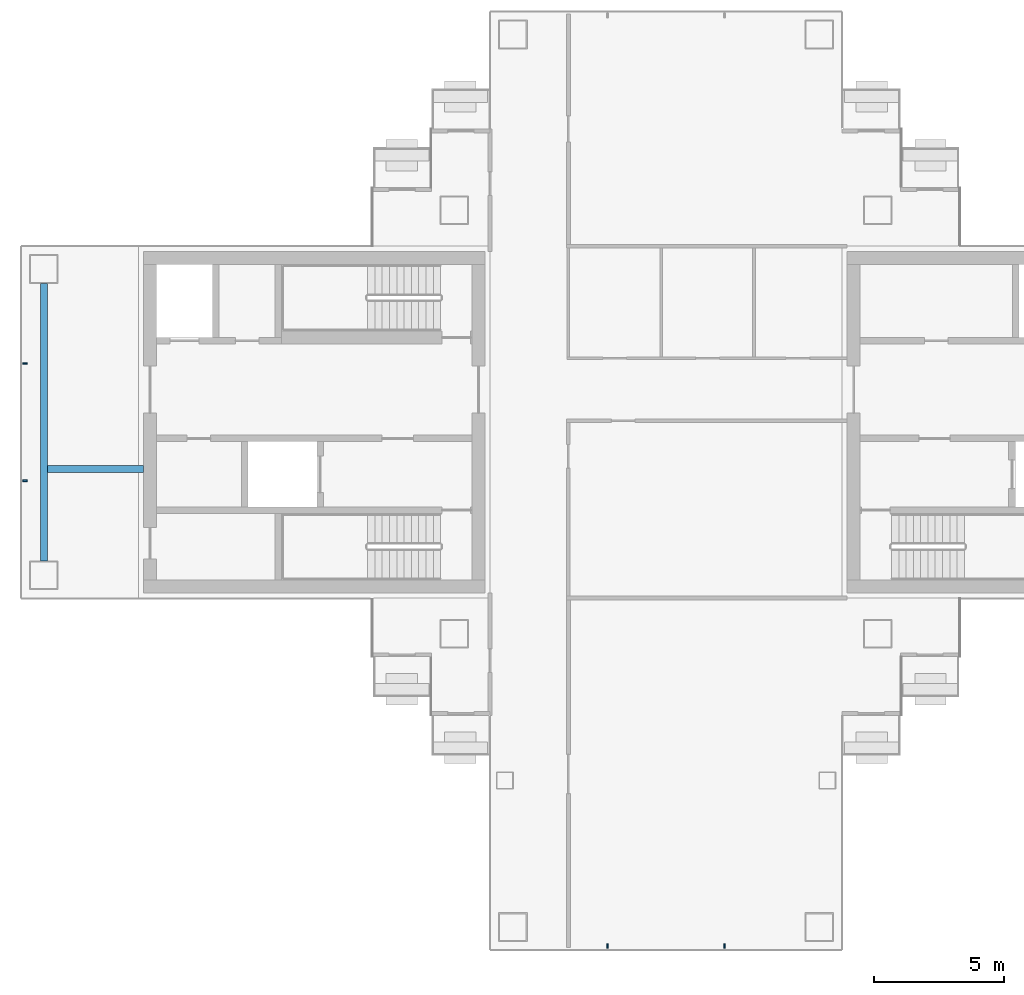
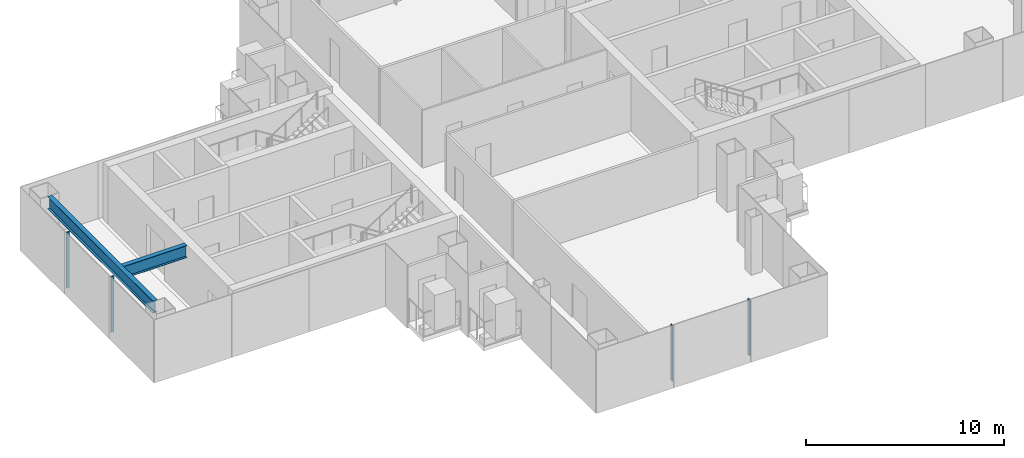
# One storey, part 3 of 17: 4 members, 2 beams, 2 elements without a shape of their own.
"""IFC4 building model written with IfcOpenShell, lengths in metres."""

from ifc_helpers import new_model, si_unit, direction, frame, origin, origin_2d, place, context, subcontext, project, spatial, rectangle, i_section, extrude, material, layer, layer_set, material_profile, profile_set, type_object, element, aggregate, save


model = new_model("IFC4")

# Units and contexts
model_context = context("Model", 3, precision=1e-05, world=origin(), true_north=direction((0.0, 1.0)))
body_context = subcontext(model_context, "Body", "Model", "MODEL_VIEW")
ifc_project = project(units=[si_unit("LENGTHUNIT", "METRE"), si_unit("AREAUNIT", "SQUARE_METRE"), si_unit("VOLUMEUNIT", "CUBIC_METRE"), si_unit("PLANEANGLEUNIT", "RADIAN"), si_unit("MASSUNIT", "GRAM", prefix="KILO")], contexts=[model_context])

# Site, building, storey
site_placement = place(None, origin())
site = spatial("IfcSite", under=ifc_project, at=site_placement, CompositionType="ELEMENT")
building_placement = place(site_placement, origin())
building = spatial("IfcBuilding", under=site, at=building_placement, Name="Shamsa Quay Exchange Towers", CompositionType="ELEMENT")
storey_placement = place(building_placement, frame((0.0, 0.0, 170.10009765625)))
storey = spatial("IfcBuildingStorey", under=building, at=storey_placement, Name="L40", CompositionType="ELEMENT", Elevation=170.10009765625)

# Curtain wall, members
ifc_material_1 = material(Name="Aluminium EN AW-6063 T6, black anodised", Category="aluminium")
ifc_layer = layer(ifc_material_1, 0.280029296875)
ifc_layer_set = layer_set([ifc_layer], Name="CW-1 UNITISED VISION GLASS")
curtain_wall_type = type_object("IfcCurtainWallType", Name="CW-1 UNITISED VISION GLASS", PredefinedType="NOTDEFINED", material=ifc_layer_set)
curtain_wall_1_placement = place(storey_placement, origin())
curtain_wall_1 = element("IfcCurtainWall", 1, at=curtain_wall_1_placement, inside=storey, type_object=curtain_wall_type, Name="CW1 T1-END-V- L40", PredefinedType="NOTDEFINED")
ifc_material_profile_1 = material_profile(ifc_material_1, rectangle(XDim=0.179931640625, YDim=0.06005859375, at=origin_2d()), Name="MU60x180")
ifc_profile_set_1 = profile_set([ifc_material_profile_1], Name="Aluminium EN AW-6063 T6, black anodised")
member_type = type_object("IfcMemberType", Name="CW1 MULLION 60x180", PredefinedType="MULLION", material=ifc_profile_set_1)
member_1_placement = place(storey_placement, frame((-36.0, -20.10009765625, 0.0), z_axis=(0.0, 0.0, 1.0), x_axis=(0.0, 1.0, 0.0)))
member_1 = element("IfcMember", 2, at=member_1_placement, type_object=member_type, Name="CW1 mullion", PredefinedType="MULLION", context=body_context, shape_type="SweptSolid", body=[
    extrude(rectangle(XDim=0.179931640625, YDim=0.06005859375, at=origin_2d()), origin(), (0.0, 0.0, 1.0), 3.449951171875),
])
member_2_placement = place(storey_placement, frame((-31.5, -20.10009765625, 0.0), z_axis=(0.0, 0.0, 1.0), x_axis=(0.0, 1.0, 0.0)))
member_2 = element("IfcMember", 3, at=member_2_placement, type_object=member_type, Name="CW1 mullion", PredefinedType="MULLION", context=body_context, shape_type="SweptSolid", body=[
    extrude(rectangle(XDim=0.179931640625, YDim=0.06005859375, at=origin_2d()), origin(), (0.0, 0.0, 1.0), 3.449951171875),
])
aggregate(curtain_wall_1, [member_1, member_2])

curtain_wall_2_placement = place(storey_placement, origin())
curtain_wall_2 = element("IfcCurtainWall", 4, at=curtain_wall_2_placement, inside=storey, type_object=curtain_wall_type, Name="CW1 T1-END-U- L40", PredefinedType="NOTDEFINED")
member_3_placement = place(storey_placement, frame((-58.35009765625, 2.25, 0.0)))
member_3 = element("IfcMember", 5, at=member_3_placement, type_object=member_type, Name="CW1 mullion", PredefinedType="MULLION", context=body_context, shape_type="SweptSolid", body=[
    extrude(rectangle(XDim=0.179931640625, YDim=0.06005859375, at=origin_2d()), origin(), (0.0, 0.0, 1.0), 3.449951171875),
])
member_4_placement = place(storey_placement, frame((-58.35009765625, -2.25, 0.0)))
member_4 = element("IfcMember", 6, at=member_4_placement, type_object=member_type, Name="CW1 mullion", PredefinedType="MULLION", context=body_context, shape_type="SweptSolid", body=[
    extrude(rectangle(XDim=0.179931640625, YDim=0.06005859375, at=origin_2d()), origin(), (0.0, 0.0, 1.0), 3.449951171875),
])
aggregate(curtain_wall_2, [member_3, member_4])

# Beams
ifc_material_2 = material(Name="Steel S355", Category="steel")
ifc_material_profile_2 = material_profile(ifc_material_2, i_section(OverallWidth=0.26611328125, OverallDepth=0.7578125, WebThickness=0.013916015625, FlangeThickness=0.019287109375, at=origin_2d()), Name="W30x108")
ifc_profile_set_2 = profile_set([ifc_material_profile_2], Name="Steel S355")
beam_type = type_object("IfcBeamType", Name="End-zone beam W30x108", PredefinedType="BEAM", material=ifc_profile_set_2)
beam_1_placement = place(storey_placement, frame((-57.625, -5.324951171875, 3.171142578125), z_axis=(0.0, 1.0, 0.0), x_axis=(-1.0, 0.0, 0.0)))
element("IfcBeam", 7, at=beam_1_placement, inside=storey, type_object=beam_type, Name="End beam T1 U- end zone L40", PredefinedType="BEAM", context=body_context, shape_type="SweptSolid", body=[
    extrude(i_section(OverallWidth=0.26611328125, OverallDepth=0.7578125, WebThickness=0.013916015625, FlangeThickness=0.019287109375, at=origin_2d()), origin(), (0.0, 0.0, 1.0), 10.64990234375),
])
beam_2_placement = place(storey_placement, frame((-53.800048828125, -1.800048828125, 3.171142578125), z_axis=(-1.0, 0.0, 0.0), x_axis=(0.0, -1.0, 0.0)))
element("IfcBeam", 8, at=beam_2_placement, inside=storey, type_object=beam_type, Name="Spine beam T1 U- end zone L40", PredefinedType="BEAM", context=body_context, shape_type="SweptSolid", body=[
    extrude(i_section(OverallWidth=0.26611328125, OverallDepth=0.7578125, WebThickness=0.013916015625, FlangeThickness=0.019287109375, at=origin_2d()), origin(), (0.0, 0.0, 1.0), 3.69189453125),
])

save(model, "model.ifc")
